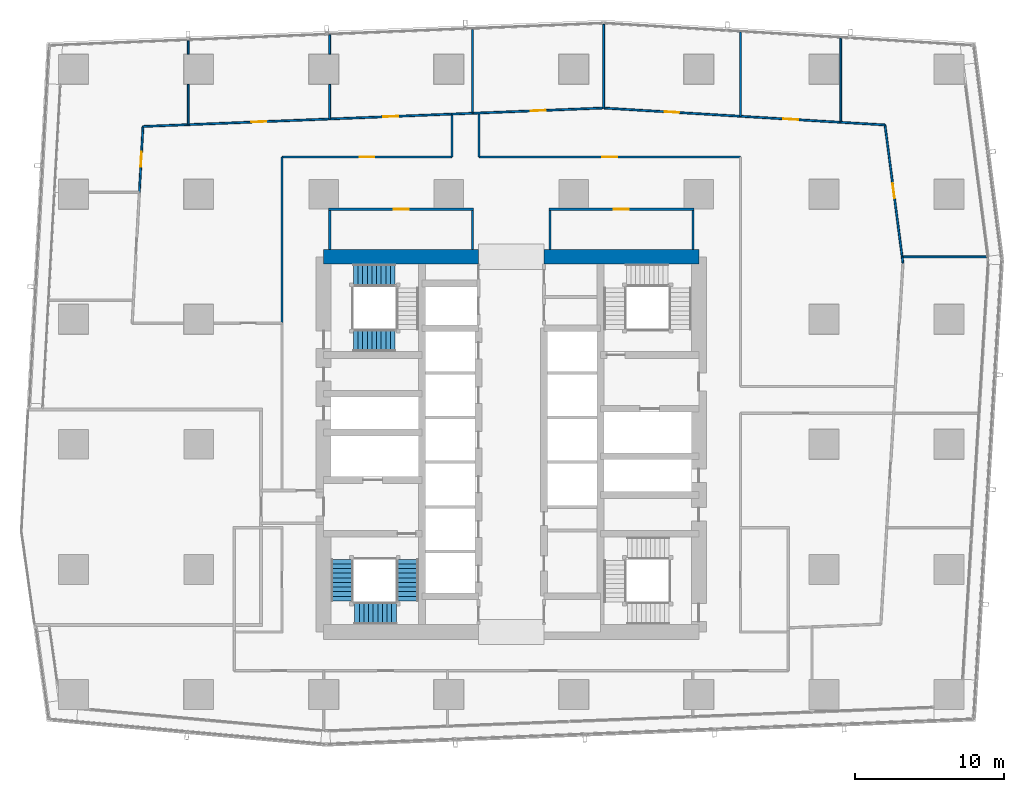
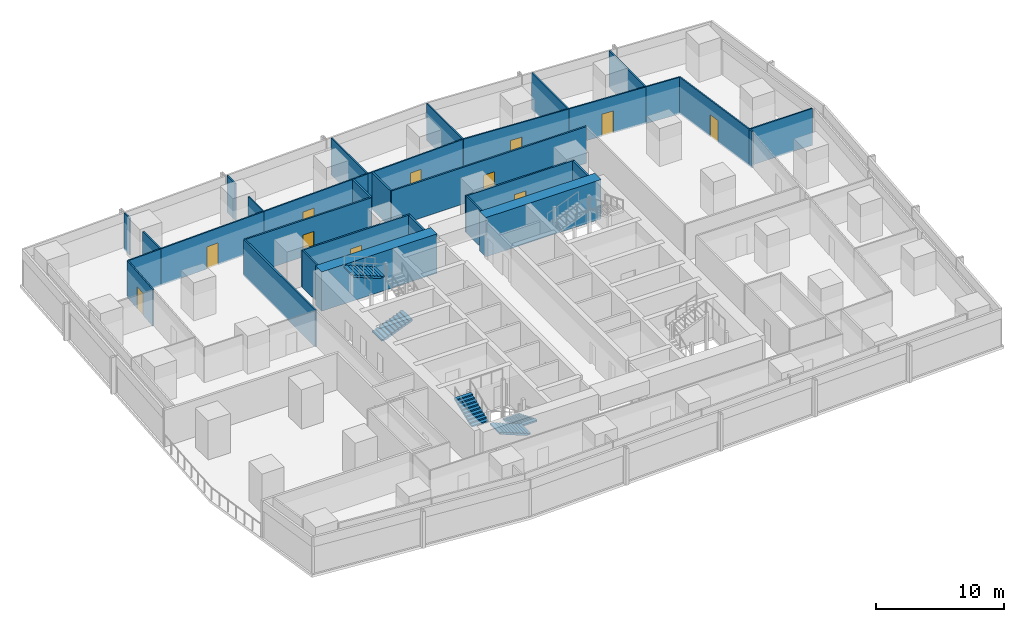
# One storey, part 28 of 36: 33 walls, 11 doors, 5 stair flights, 11 openings, 2 elements without a shape of their own.
"""IFC4 building model written with IfcOpenShell, lengths in metres."""

from ifc_helpers import new_model, si_unit, direction, frame, frame_2d, origin, place, context, subcontext, project, spatial, polyline, rectangle, outline, extrude, material, layer, layer_set, type_object, element, fill, aggregate, save


model = new_model("IFC4")

# Units and contexts
model_context = context("Model", 3, precision=1e-05, world=origin(), true_north=direction((0.0, 1.0)))
body_context = subcontext(model_context, "Body", "Model", "MODEL_VIEW")
ifc_project = project(units=[si_unit("LENGTHUNIT", "METRE"), si_unit("AREAUNIT", "SQUARE_METRE"), si_unit("VOLUMEUNIT", "CUBIC_METRE"), si_unit("PLANEANGLEUNIT", "RADIAN"), si_unit("MASSUNIT", "GRAM", prefix="KILO")], contexts=[model_context])

# Site, building, storey
site_placement = place(None, origin())
site = spatial("IfcSite", under=ifc_project, at=site_placement, CompositionType="ELEMENT")
building_placement = place(site_placement, origin())
building = spatial("IfcBuilding", under=site, at=building_placement, Name="Rekha Terrace Tower", CompositionType="ELEMENT")
storey_placement = place(building_placement, frame((0.0, 0.0, 144.050048828125)))
storey = spatial("IfcBuildingStorey", under=building, at=storey_placement, Name="L36", CompositionType="ELEMENT", Elevation=144.050048828125)

# Walls
ifc_material_1 = material(Name="Concrete M70", Category="concrete")
ifc_layer_1 = layer(ifc_material_1, 1.0)
ifc_layer_set_1 = layer_set([ifc_layer_1], Name="Concrete M70")
wall_type_1 = type_object("IfcWallType", Name="SW2 1000 core outer shear wall", PredefinedType="SHEAR", material=ifc_layer_set_1)
wall_1_placement = place(storey_placement, frame((25.199951171875, 46.199951171875, 0.0), z_axis=(0.0, 0.0, 1.0), x_axis=(1.0, 0.0, 0.0)))
element("IfcWall", 1, at=wall_1_placement, inside=storey, type_object=wall_type_1, Name="Core wall N1 L36", PredefinedType="SHEAR", context=body_context, shape_type="SweptSolid", body=[
    extrude(rectangle(XDim=10.400146484375, YDim=1.0, at=frame_2d((5.2001953125, 0.0))), origin(), (0.0, 0.0, 1.0), 3.75),
])
wall_2_placement = place(storey_placement, frame((40.0, 46.199951171875, 0.0), z_axis=(0.0, 0.0, 1.0), x_axis=(1.0, 0.0, 0.0)))
element("IfcWall", 2, at=wall_2_placement, inside=storey, type_object=wall_type_1, Name="Core wall N2 L36", PredefinedType="SHEAR", context=body_context, shape_type="SweptSolid", body=[
    extrude(rectangle(XDim=10.39990234375, YDim=1.0, at=frame_2d((5.199951171875, 0.0))), origin(), (0.0, 0.0, 1.0), 3.75),
])

# Wall, opening, door
ifc_material_2 = material(Name="Concrete block masonry, 1 hour", Category="masonry")
ifc_layer_2 = layer(ifc_material_2, 0.14990234375)
ifc_layer_set_2 = layer_set([ifc_layer_2], Name="Concrete block masonry, 1 hour")
wall_type_2 = type_object("IfcWallType", Name="WP2 150 tenancy partition", PredefinedType="PARTITIONING", material=ifc_layer_set_2)
wall_3_placement = place(storey_placement, frame((40.324951171875, 49.39990234375, 0.0), z_axis=(0.0, 0.0, 1.0), x_axis=(1.0, 0.0, 0.0)))
wall_3 = element("IfcWall", 3, at=wall_3_placement, inside=storey, type_object=wall_type_2, Name="Women's WC wall L36", PredefinedType="PARTITIONING", context=body_context, shape_type="SweptSolid", body=[
    extrude(rectangle(XDim=9.75, YDim=0.14990234375, at=frame_2d((4.875, 0.0))), origin(), (0.0, 0.0, 1.0), 3.5),
])
opening_1_placement = place(wall_3_placement, frame((4.375, 0.0, 0.0)))
opening_1 = element("IfcOpeningElement", 4, at=opening_1_placement, cuts=wall_3, Name="Opening D3", PredefinedType="OPENING", context=body_context, shape_type="SweptSolid", body=[
    extrude(rectangle(XDim=1.0, YDim=2.10009765625, at=frame_2d((0.5, 1.050048828125))), frame((0.0, 0.0849609375, 0.0), z_axis=(0.0, -1.0, 0.0), x_axis=(1.0, 0.0, 0.0)), (0.0, 0.0, 1.0), 0.169921875),
])
ifc_material_3 = material(Name="Laminated timber fire door", Category="wood")
door_type_1 = type_object("IfcDoorType", Name="D3 1000x2100 WC door", OperationType="SINGLE_SWING_LEFT", PredefinedType="DOOR", material=ifc_material_3)
door_1_placement = place(opening_1_placement, origin())
door_1 = element("IfcDoor", 5, at=door_1_placement, inside=storey, type_object=door_type_1, Name="Door women's wc L36", OperationType="SINGLE_SWING_LEFT", OverallHeight=2.10009765625, OverallWidth=1.0, PredefinedType="DOOR", context=body_context, shape_type="SweptSolid", body=[
    extrude(rectangle(XDim=1.0, YDim=2.10009765625, at=frame_2d((0.5, 1.050048828125))), frame((0.0, 0.02490234375, 0.0), z_axis=(0.0, -1.0, 0.0), x_axis=(1.0, 0.0, 0.0)), (0.0, 0.0, 1.0), 0.050048828125),
])
fill(opening_1, door_1)

# Walls
for number, where, z_axis, x_axis, name in (
    (6, (40.39990234375, 46.699951171875, 0.0), (0.0, 0.0, 1.0), (0.0, 1.0, 0.0), "Women's WC wall L36"),
    (7, (50.0, 46.699951171875, 0.0), (0.0, 0.0, 1.0), (0.0, 1.0, 0.0), "Women's WC wall L36"),
):
    element("IfcWall", number, at=place(storey_placement, frame(where, z_axis=z_axis, x_axis=x_axis)), inside=storey, type_object=wall_type_2, Name=name, PredefinedType="PARTITIONING", context=body_context, shape_type="SweptSolid", body=[
        extrude(rectangle(XDim=2.625, YDim=0.14990234375, at=frame_2d((1.3125, 0.0))), origin(), (0.0, 0.0, 1.0), 3.5),
    ])

# Wall, opening, door
wall_4_placement = place(storey_placement, frame((25.52490234375, 49.39990234375, 0.0), z_axis=(0.0, 0.0, 1.0), x_axis=(1.0, 0.0, 0.0)))
wall_4 = element("IfcWall", 8, at=wall_4_placement, inside=storey, type_object=wall_type_2, Name="Women's WC wall L36", PredefinedType="PARTITIONING", context=body_context, shape_type="SweptSolid", body=[
    extrude(rectangle(XDim=9.75, YDim=0.14990234375, at=frame_2d((4.875, 0.0))), origin(), (0.0, 0.0, 1.0), 3.5),
])
opening_2_placement = place(wall_4_placement, frame((4.375, 0.0, 0.0)))
opening_2 = element("IfcOpeningElement", 9, at=opening_2_placement, cuts=wall_4, Name="Opening D3", PredefinedType="OPENING", context=body_context, shape_type="SweptSolid", body=[
    extrude(rectangle(XDim=1.0, YDim=2.10009765625, at=frame_2d((0.5, 1.050048828125))), frame((0.0, 0.0849609375, 0.0), z_axis=(0.0, -1.0, 0.0), x_axis=(1.0, 0.0, 0.0)), (0.0, 0.0, 1.0), 0.169921875),
])
door_2_placement = place(opening_2_placement, origin())
door_2 = element("IfcDoor", 10, at=door_2_placement, inside=storey, type_object=door_type_1, Name="Door women's wc L36", OperationType="SINGLE_SWING_LEFT", OverallHeight=2.10009765625, OverallWidth=1.0, PredefinedType="DOOR", context=body_context, shape_type="SweptSolid", body=[
    extrude(rectangle(XDim=1.0, YDim=2.10009765625, at=frame_2d((0.5, 1.050048828125))), frame((0.0, 0.02490234375, 0.0), z_axis=(0.0, -1.0, 0.0), x_axis=(1.0, 0.0, 0.0)), (0.0, 0.0, 1.0), 0.050048828125),
])
fill(opening_2, door_2)

# Walls
for number, where, z_axis, x_axis, name in (
    (11, (25.60009765625, 46.699951171875, 0.0), (0.0, 0.0, 1.0), (0.0, 1.0, 0.0), "Women's WC wall L36"),
    (12, (35.199951171875, 46.699951171875, 0.0), (0.0, 0.0, 1.0), (0.0, 1.0, 0.0), "Women's WC wall L36"),
):
    element("IfcWall", number, at=place(storey_placement, frame(where, z_axis=z_axis, x_axis=x_axis)), inside=storey, type_object=wall_type_2, Name=name, PredefinedType="PARTITIONING", context=body_context, shape_type="SweptSolid", body=[
        extrude(rectangle(XDim=2.625, YDim=0.14990234375, at=frame_2d((1.3125, 0.0))), origin(), (0.0, 0.0, 1.0), 3.5),
    ])

# Wall, opening, door
wall_5_placement = place(storey_placement, frame((53.199951171875, 52.89990234375, 0.0), z_axis=(0.0, 0.0, 1.0), x_axis=(-1.0, 0.0, 0.0)))
wall_5 = element("IfcWall", 13, at=wall_5_placement, inside=storey, type_object=wall_type_2, Name="Partition L36-O1", PredefinedType="PARTITIONING", context=body_context, shape_type="SweptSolid", body=[
    extrude(rectangle(XDim=17.573974609375, YDim=0.14990234375, at=frame_2d((8.787109375, 0.0))), origin(), (0.0, 0.0, 1.0), 3.5),
])
opening_3_placement = place(wall_5_placement, frame((8.287109375, 0.0, 0.0)))
opening_3 = element("IfcOpeningElement", 14, at=opening_3_placement, cuts=wall_5, Name="Opening D9", PredefinedType="OPENING", context=body_context, shape_type="SweptSolid", body=[
    extrude(rectangle(XDim=1.0, YDim=2.10009765625, at=frame_2d((0.5, 1.050048828125))), frame((0.0, 0.0849609375, 0.0), z_axis=(0.0, -1.0, 0.0), x_axis=(1.0, 0.0, 0.0)), (0.0, 0.0, 1.0), 0.169921875),
])
ifc_material_4 = material(Name="Timber fire door", Category="wood")
door_type_2 = type_object("IfcDoorType", Name="D9 1000x2100 office door", OperationType="SINGLE_SWING_LEFT", PredefinedType="DOOR", material=ifc_material_4)
door_3_placement = place(opening_3_placement, origin())
door_3 = element("IfcDoor", 15, at=door_3_placement, inside=storey, type_object=door_type_2, Name="Door open-plan office L36", OperationType="SINGLE_SWING_LEFT", OverallHeight=2.10009765625, OverallWidth=1.0, PredefinedType="DOOR", context=body_context, shape_type="SweptSolid", body=[
    extrude(rectangle(XDim=1.0, YDim=2.10009765625, at=frame_2d((0.5, 1.050048828125))), frame((0.0, 0.02490234375, 0.0), z_axis=(0.0, -1.0, 0.0), x_axis=(1.0, 0.0, 0.0)), (0.0, 0.0, 1.0), 0.050048828125),
])
fill(opening_3, door_3)

# Walls
wall_6_placement = place(storey_placement, frame((35.6259765625, 52.89990234375, 0.0), z_axis=(0.0, 0.0, 1.0), x_axis=(0.0, 1.0, 0.0)))
element("IfcWall", 16, at=wall_6_placement, inside=storey, type_object=wall_type_2, Name="Partition L36-O1", PredefinedType="PARTITIONING", context=body_context, shape_type="SweptSolid", body=[
    extrude(rectangle(XDim=2.89599609375, YDim=0.14990234375, at=frame_2d((1.447998046875, 0.0))), origin(), (0.0, 0.0, 1.0), 3.5),
])
wall_7_placement = place(storey_placement, frame((33.825927734375, 55.785888671875, 0.0), z_axis=(0.0, 0.0, 1.0), x_axis=(0.0, -1.0, 0.0)))
element("IfcWall", 17, at=wall_7_placement, inside=storey, type_object=wall_type_2, Name="Partition L36-O2", PredefinedType="PARTITIONING", context=body_context, shape_type="SweptSolid", body=[
    extrude(rectangle(XDim=2.885986328125, YDim=0.14990234375, at=frame_2d((1.44287109375, 0.0))), origin(), (0.0, 0.0, 1.0), 3.5),
])

# Wall, opening, door
wall_8_placement = place(storey_placement, frame((33.825927734375, 52.89990234375, 0.0), z_axis=(0.0, 0.0, 1.0), x_axis=(-1.0, 0.0, 0.0)))
wall_8 = element("IfcWall", 18, at=wall_8_placement, inside=storey, type_object=wall_type_2, Name="Partition L36-O2", PredefinedType="PARTITIONING", context=body_context, shape_type="SweptSolid", body=[
    extrude(rectangle(XDim=11.426025390625, YDim=0.14990234375, at=frame_2d((5.712890625, 0.0))), origin(), (0.0, 0.0, 1.0), 3.5),
])
opening_4_placement = place(wall_8_placement, frame((5.212890625, 0.0, 0.0)))
opening_4 = element("IfcOpeningElement", 19, at=opening_4_placement, cuts=wall_8, Name="Opening D9", PredefinedType="OPENING", context=body_context, shape_type="SweptSolid", body=[
    extrude(rectangle(XDim=1.0, YDim=2.10009765625, at=frame_2d((0.5, 1.050048828125))), frame((0.0, 0.0849609375, 0.0), z_axis=(0.0, -1.0, 0.0), x_axis=(1.0, 0.0, 0.0)), (0.0, 0.0, 1.0), 0.169921875),
])
door_4_placement = place(opening_4_placement, origin())
door_4 = element("IfcDoor", 20, at=door_4_placement, inside=storey, type_object=door_type_2, Name="Door open-plan office L36", OperationType="SINGLE_SWING_LEFT", OverallHeight=2.10009765625, OverallWidth=1.0, PredefinedType="DOOR", context=body_context, shape_type="SweptSolid", body=[
    extrude(rectangle(XDim=1.0, YDim=2.10009765625, at=frame_2d((0.5, 1.050048828125))), frame((0.0, 0.02490234375, 0.0), z_axis=(0.0, -1.0, 0.0), x_axis=(1.0, 0.0, 0.0)), (0.0, 0.0, 1.0), 0.050048828125),
])
fill(opening_4, door_4)

# Walls
wall_9_placement = place(storey_placement, frame((22.39990234375, 52.89990234375, 0.0), z_axis=(0.0, 0.0, 1.0), x_axis=(0.0, -1.0, 0.0)))
element("IfcWall", 21, at=wall_9_placement, inside=storey, type_object=wall_type_2, Name="Partition L36-O2", PredefinedType="PARTITIONING", context=body_context, shape_type="SweptSolid", body=[
    extrude(rectangle(XDim=11.156005859375, YDim=0.14990234375, at=frame_2d((5.578125, 0.0))), origin(), (0.0, 0.0, 1.0), 3.5),
])
ifc_material_5 = material(Name="Two layers of fire-rated gypsum board each side on steel studs, acoustic quilt, 1 hour", Category="steel")
ifc_layer_3 = layer(ifc_material_5, 0.125)
ifc_layer_set_3 = layer_set([ifc_layer_3], Name="Two layers of fire-rated gypsum board each side on steel studs, acoustic quilt, 1 hour")
wall_type_3 = type_object("IfcWallType", Name="WP3 125 office partition", PredefinedType="PARTITIONING", material=ifc_layer_set_3)
wall_10_placement = place(storey_placement, frame((64.113037109375, 45.777099609375, 0.0), z_axis=(0.0, 0.0, 1.0), x_axis=(-0.127732925799, 0.991808600319, 0.0)))
element("IfcWall", 22, at=wall_10_placement, inside=storey, type_object=wall_type_3, Name="Partition L36-04", PredefinedType="PARTITIONING", context=body_context, shape_type="SweptSolid", body=[
    extrude(rectangle(XDim=0.42236328125, YDim=0.125, at=frame_2d((0.211181640625, 0.0))), origin(), (0.0, 0.0, 1.0), 3.5),
])
wall_11_placement = place(storey_placement, frame((64.05908203125, 46.196044921875, 0.0), z_axis=(0.0, 0.0, 1.0), x_axis=(1.0, 0.0, 0.0)))
element("IfcWall", 23, at=wall_11_placement, inside=storey, type_object=wall_type_3, Name="Partition L36-04", PredefinedType="PARTITIONING", context=body_context, shape_type="SweptSolid", body=[
    extrude(rectangle(XDim=5.6669921875, YDim=0.125, at=frame_2d((2.83349609375, 0.0))), origin(), (0.0, 0.0, 1.0), 3.5),
])
wall_12_placement = place(storey_placement, frame((59.93701171875, 55.23388671875, 0.0), z_axis=(0.0, 0.0, 1.0), x_axis=(0.0, 1.0, 0.0)))
element("IfcWall", 24, at=wall_12_placement, inside=storey, type_object=wall_type_3, Name="Partition L36-05", PredefinedType="PARTITIONING", context=body_context, shape_type="SweptSolid", body=[
    extrude(rectangle(XDim=5.66015625, YDim=0.125, at=frame_2d((2.830078125, 0.0))), origin(), (0.0, 0.0, 1.0), 3.5),
])

# Wall, opening, door
wall_13_placement = place(storey_placement, frame((64.05908203125, 46.197021484375, 0.0), z_axis=(0.0, 0.0, 1.0), x_axis=(-0.129179126048, 0.991621275182, 0.0)))
wall_13 = element("IfcWall", 25, at=wall_13_placement, inside=storey, type_object=wall_type_3, Name="Partition L36-05", PredefinedType="PARTITIONING", context=body_context, shape_type="SweptSolid", body=[
    extrude(rectangle(XDim=8.933837890625, YDim=0.125, at=frame_2d((4.466796875, 0.0))), origin(), (0.0, 0.0, 1.0), 3.5),
])
opening_5_placement = place(wall_13_placement, frame((3.967041015625, 0.0, 0.0)))
opening_5 = element("IfcOpeningElement", 26, at=opening_5_placement, cuts=wall_13, Name="Opening D9", PredefinedType="OPENING", context=body_context, shape_type="SweptSolid", body=[
    extrude(rectangle(XDim=1.0, YDim=2.10009765625, at=frame_2d((0.5, 1.050048828125))), frame((0.0, 0.072509765625, 0.0), z_axis=(0.0, -1.0, 0.0), x_axis=(1.0, 0.0, 0.0)), (0.0, 0.0, 1.0), 0.14501953125),
])
door_5_placement = place(opening_5_placement, origin())
door_5 = element("IfcDoor", 27, at=door_5_placement, inside=storey, type_object=door_type_2, Name="Door director's office L36", OperationType="SINGLE_SWING_LEFT", OverallHeight=2.10009765625, OverallWidth=1.0, PredefinedType="DOOR", context=body_context, shape_type="SweptSolid", body=[
    extrude(rectangle(XDim=1.0, YDim=2.10009765625, at=frame_2d((0.5, 1.050048828125))), frame((0.0, 0.02490234375, 0.0), z_axis=(0.0, -1.0, 0.0), x_axis=(1.0, 0.0, 0.0)), (0.0, 0.0, 1.0), 0.050048828125),
])
fill(opening_5, door_5)

# Wall
wall_14_placement = place(storey_placement, frame((62.905029296875, 55.055908203125, 0.0), z_axis=(0.0, 0.0, 1.0), x_axis=(-0.998206906615, 0.059857928348, 0.0)))
element("IfcWall", 28, at=wall_14_placement, inside=storey, type_object=wall_type_3, Name="Partition L36-05", PredefinedType="PARTITIONING", context=body_context, shape_type="SweptSolid", body=[
    extrude(rectangle(XDim=2.973388671875, YDim=0.125, at=frame_2d((1.48681640625, 0.0))), origin(), (0.0, 0.0, 1.0), 3.5),
])

# Wall, opening, door
wall_15_placement = place(storey_placement, frame((59.93603515625, 55.23388671875, 0.0), z_axis=(0.0, 0.0, 1.0), x_axis=(-0.998198743515, 0.059993903398, 0.0)))
wall_15 = element("IfcWall", 29, at=wall_15_placement, inside=storey, type_object=wall_type_3, Name="Partition L36-06", PredefinedType="PARTITIONING", context=body_context, shape_type="SweptSolid", body=[
    extrude(rectangle(XDim=6.751220703125, YDim=0.125, at=frame_2d((3.37548828125, 0.0))), origin(), (0.0, 0.0, 1.0), 3.5),
])
opening_6_placement = place(wall_15_placement, frame((2.8759765625, 0.0, 0.0)))
opening_6 = element("IfcOpeningElement", 30, at=opening_6_placement, cuts=wall_15, Name="Opening D9", PredefinedType="OPENING", context=body_context, shape_type="SweptSolid", body=[
    extrude(rectangle(XDim=1.0, YDim=2.10009765625, at=frame_2d((0.5, 1.050048828125))), frame((0.0, 0.072509765625, 0.0), z_axis=(0.0, -1.0, 0.0), x_axis=(1.0, 0.0, 0.0)), (0.0, 0.0, 1.0), 0.14501953125),
])
door_6_placement = place(opening_6_placement, origin())
door_6 = element("IfcDoor", 31, at=door_6_placement, inside=storey, type_object=door_type_2, Name="Door office L36", OperationType="SINGLE_SWING_LEFT", OverallHeight=2.10009765625, OverallWidth=1.0, PredefinedType="DOOR", context=body_context, shape_type="SweptSolid", body=[
    extrude(rectangle(XDim=1.0, YDim=2.10009765625, at=frame_2d((0.5, 1.050048828125))), frame((0.0, 0.02490234375, 0.0), z_axis=(0.0, -1.0, 0.0), x_axis=(1.0, 0.0, 0.0)), (0.0, 0.0, 1.0), 0.050048828125),
])
fill(opening_6, door_6)

# Wall
wall_16_placement = place(storey_placement, frame((53.197021484375, 55.638916015625, 0.0), z_axis=(0.0, 0.0, 1.0), x_axis=(0.0, 1.0, 0.0)))
element("IfcWall", 32, at=wall_16_placement, inside=storey, type_object=wall_type_3, Name="Partition L36-06", PredefinedType="PARTITIONING", context=body_context, shape_type="SweptSolid", body=[
    extrude(rectangle(XDim=5.66015625, YDim=0.125, at=frame_2d((2.830078125, 0.0))), origin(), (0.0, 0.0, 1.0), 3.5),
])

# Wall, opening, door
wall_17_placement = place(storey_placement, frame((53.196044921875, 55.638916015625, 0.0), z_axis=(0.0, 0.0, 1.0), x_axis=(-0.998195418224, 0.060049205128, 0.0)))
wall_17 = element("IfcWall", 33, at=wall_17_placement, inside=storey, type_object=wall_type_3, Name="Partition L36-07", PredefinedType="PARTITIONING", context=body_context, shape_type="SweptSolid", body=[
    extrude(rectangle(XDim=9.208740234375, YDim=0.125, at=frame_2d((4.6044921875, 0.0))), origin(), (0.0, 0.0, 1.0), 3.5),
])
opening_7_placement = place(wall_17_placement, frame((4.10400390625, 0.0, 0.0)))
opening_7 = element("IfcOpeningElement", 34, at=opening_7_placement, cuts=wall_17, Name="Opening D9", PredefinedType="OPENING", context=body_context, shape_type="SweptSolid", body=[
    extrude(rectangle(XDim=1.0, YDim=2.10009765625, at=frame_2d((0.5, 1.050048828125))), frame((0.0, 0.072509765625, 0.0), z_axis=(0.0, -1.0, 0.0), x_axis=(1.0, 0.0, 0.0)), (0.0, 0.0, 1.0), 0.14501953125),
])
door_7_placement = place(opening_7_placement, origin())
door_7 = element("IfcDoor", 35, at=door_7_placement, inside=storey, type_object=door_type_2, Name="Door office L36", OperationType="SINGLE_SWING_LEFT", OverallHeight=2.10009765625, OverallWidth=1.0, PredefinedType="DOOR", context=body_context, shape_type="SweptSolid", body=[
    extrude(rectangle(XDim=1.0, YDim=2.10009765625, at=frame_2d((0.5, 1.050048828125))), frame((0.0, 0.02490234375, 0.0), z_axis=(0.0, -1.0, 0.0), x_axis=(1.0, 0.0, 0.0)), (0.0, 0.0, 1.0), 0.050048828125),
])
fill(opening_7, door_7)

# Walls
wall_18_placement = place(storey_placement, frame((44.00390625, 56.19189453125, 0.0), z_axis=(0.0, 0.0, 1.0), x_axis=(0.0, 1.0, 0.0)))
element("IfcWall", 36, at=wall_18_placement, inside=storey, type_object=wall_type_3, Name="Partition L36-07", PredefinedType="PARTITIONING", context=body_context, shape_type="SweptSolid", body=[
    extrude(rectangle(XDim=5.627197265625, YDim=0.125, at=frame_2d((2.8134765625, 0.0))), origin(), (0.0, 0.0, 1.0), 3.5),
])
wall_19_placement = place(storey_placement, frame((35.199951171875, 55.841064453125, 0.0), z_axis=(0.0, 0.0, 1.0), x_axis=(0.0, 1.0, 0.0)))
element("IfcWall", 37, at=wall_19_placement, inside=storey, type_object=wall_type_3, Name="Partition L36-08", PredefinedType="PARTITIONING", context=body_context, shape_type="SweptSolid", body=[
    extrude(rectangle(XDim=5.625, YDim=0.125, at=frame_2d((2.8125, 0.0))), origin(), (0.0, 0.0, 1.0), 3.5),
])

# Wall, opening, door
wall_20_placement = place(storey_placement, frame((43.952880859375, 56.19189453125, 0.0), z_axis=(0.0, 0.0, 1.0), x_axis=(-0.999197705394, -0.040049288817, 0.0)))
wall_20 = element("IfcWall", 38, at=wall_20_placement, inside=storey, type_object=wall_type_3, Name="Partition L36-08", PredefinedType="PARTITIONING", context=body_context, shape_type="SweptSolid", body=[
    extrude(rectangle(XDim=8.760009765625, YDim=0.125, at=frame_2d((4.3798828125, 0.0))), origin(), (0.0, 0.0, 1.0), 3.5),
])
opening_8_placement = place(wall_20_placement, frame((3.85498046875, 0.0, 0.0)))
opening_8 = element("IfcOpeningElement", 39, at=opening_8_placement, cuts=wall_20, Name="Opening D9", PredefinedType="OPENING", context=body_context, shape_type="SweptSolid", body=[
    extrude(rectangle(XDim=1.0, YDim=2.10009765625, at=frame_2d((0.5, 1.050048828125))), frame((0.0, 0.072509765625, 0.0), z_axis=(0.0, -1.0, 0.0), x_axis=(1.0, 0.0, 0.0)), (0.0, 0.0, 1.0), 0.14501953125),
])
door_8_placement = place(opening_8_placement, origin())
door_8 = element("IfcDoor", 40, at=door_8_placement, inside=storey, type_object=door_type_2, Name="Door office L36", OperationType="SINGLE_SWING_LEFT", OverallHeight=2.10009765625, OverallWidth=1.0, PredefinedType="DOOR", context=body_context, shape_type="SweptSolid", body=[
    extrude(rectangle(XDim=1.0, YDim=2.10009765625, at=frame_2d((0.5, 1.050048828125))), frame((0.0, 0.02490234375, 0.0), z_axis=(0.0, -1.0, 0.0), x_axis=(1.0, 0.0, 0.0)), (0.0, 0.0, 1.0), 0.050048828125),
])
fill(opening_8, door_8)

wall_21_placement = place(storey_placement, frame((33.825927734375, 55.785888671875, 0.0), z_axis=(0.0, 0.0, 1.0), x_axis=(-0.999201621897, -0.039951455511, 0.0)))
wall_21 = element("IfcWall", 41, at=wall_21_placement, inside=storey, type_object=wall_type_3, Name="Partition L36-09", PredefinedType="PARTITIONING", context=body_context, shape_type="SweptSolid", body=[
    extrude(rectangle(XDim=8.2314453125, YDim=0.125, at=frame_2d((4.11572265625, 0.0))), origin(), (0.0, 0.0, 1.0), 3.5),
])
opening_9_placement = place(wall_21_placement, frame((3.615966796875, 0.0, 0.0)))
opening_9 = element("IfcOpeningElement", 42, at=opening_9_placement, cuts=wall_21, Name="Opening D9", PredefinedType="OPENING", context=body_context, shape_type="SweptSolid", body=[
    extrude(rectangle(XDim=1.0, YDim=2.10009765625, at=frame_2d((0.5, 1.050048828125))), frame((0.0, 0.072509765625, 0.0), z_axis=(0.0, -1.0, 0.0), x_axis=(1.0, 0.0, 0.0)), (0.0, 0.0, 1.0), 0.14501953125),
])
door_9_placement = place(opening_9_placement, origin())
door_9 = element("IfcDoor", 43, at=door_9_placement, inside=storey, type_object=door_type_2, Name="Door office L36", OperationType="SINGLE_SWING_LEFT", OverallHeight=2.10009765625, OverallWidth=1.0, PredefinedType="DOOR", context=body_context, shape_type="SweptSolid", body=[
    extrude(rectangle(XDim=1.0, YDim=2.10009765625, at=frame_2d((0.5, 1.050048828125))), frame((0.0, 0.02490234375, 0.0), z_axis=(0.0, -1.0, 0.0), x_axis=(1.0, 0.0, 0.0)), (0.0, 0.0, 1.0), 0.050048828125),
])
fill(opening_9, door_9)

# Walls
wall_22_placement = place(storey_placement, frame((25.60107421875, 55.45703125, 0.0), z_axis=(0.0, 0.0, 1.0), x_axis=(0.0, 1.0, 0.0)))
element("IfcWall", 44, at=wall_22_placement, inside=storey, type_object=wall_type_3, Name="Partition L36-09", PredefinedType="PARTITIONING", context=body_context, shape_type="SweptSolid", body=[
    extrude(rectangle(XDim=2.322998046875, YDim=0.125, at=frame_2d((1.16162109375, 0.0))), origin(), (0.0, 0.0, 1.0), 3.5),
])
wall_23_placement = place(storey_placement, frame((25.60107421875, 59.820068359375, 0.0), z_axis=(0.0, 0.0, 1.0), x_axis=(0.0, 1.0, 0.0)))
element("IfcWall", 45, at=wall_23_placement, inside=storey, type_object=wall_type_3, Name="Partition L36-09", PredefinedType="PARTITIONING", context=body_context, shape_type="SweptSolid", body=[
    extrude(rectangle(XDim=1.291015625, YDim=0.125, at=frame_2d((0.6455078125, 0.0))), origin(), (0.0, 0.0, 1.0), 3.5),
])
wall_24_placement = place(storey_placement, frame((35.198974609375, 55.841064453125, 0.0), z_axis=(0.0, 0.0, 1.0), x_axis=(-0.999193562593, -0.04015251514, 0.0)))
element("IfcWall", 46, at=wall_24_placement, inside=storey, type_object=wall_type_3, Name="Partition L36-09", PredefinedType="PARTITIONING", context=body_context, shape_type="SweptSolid", body=[
    extrude(rectangle(XDim=1.374267578125, YDim=0.125, at=frame_2d((0.68701171875, 0.0))), origin(), (0.0, 0.0, 1.0), 3.5),
])

# Wall, opening, door
wall_25_placement = place(storey_placement, frame((25.59912109375, 55.45703125, 0.0), z_axis=(0.0, 0.0, 1.0), x_axis=(-0.999195821447, -0.040096264197, 0.0)))
wall_25 = element("IfcWall", 47, at=wall_25_placement, inside=storey, type_object=wall_type_3, Name="Partition L36-12", PredefinedType="PARTITIONING", context=body_context, shape_type="SweptSolid", body=[
    extrude(rectangle(XDim=9.504638671875, YDim=0.125, at=frame_2d((4.75244140625, 0.0))), origin(), (0.0, 0.0, 1.0), 3.5),
])
opening_10_placement = place(wall_25_placement, frame((4.251953125, 0.0, 0.0)))
opening_10 = element("IfcOpeningElement", 48, at=opening_10_placement, cuts=wall_25, Name="Opening D9", PredefinedType="OPENING", context=body_context, shape_type="SweptSolid", body=[
    extrude(rectangle(XDim=1.0, YDim=2.10009765625, at=frame_2d((0.5, 1.050048828125))), frame((0.0, 0.072509765625, 0.0), z_axis=(0.0, -1.0, 0.0), x_axis=(1.0, 0.0, 0.0)), (0.0, 0.0, 1.0), 0.14501953125),
])
door_10_placement = place(opening_10_placement, origin())
door_10 = element("IfcDoor", 49, at=door_10_placement, inside=storey, type_object=door_type_2, Name="Door office L36", OperationType="SINGLE_SWING_LEFT", OverallHeight=2.10009765625, OverallWidth=1.0, PredefinedType="DOOR", context=body_context, shape_type="SweptSolid", body=[
    extrude(rectangle(XDim=1.0, YDim=2.10009765625, at=frame_2d((0.5, 1.050048828125))), frame((0.0, 0.02490234375, 0.0), z_axis=(0.0, -1.0, 0.0), x_axis=(1.0, 0.0, 0.0)), (0.0, 0.0, 1.0), 0.050048828125),
])
fill(opening_10, door_10)

# Walls
wall_26_placement = place(storey_placement, frame((16.10205078125, 55.075927734375, 0.0), z_axis=(0.0, 0.0, 1.0), x_axis=(0.0, 1.0, 0.0)))
element("IfcWall", 50, at=wall_26_placement, inside=storey, type_object=wall_type_3, Name="Partition L36-12", PredefinedType="PARTITIONING", context=body_context, shape_type="SweptSolid", body=[
    extrude(rectangle(XDim=2.7041015625, YDim=0.125, at=frame_2d((1.35205078125, 0.0))), origin(), (0.0, 0.0, 1.0), 3.5),
])
wall_27_placement = place(storey_placement, frame((16.10205078125, 59.820068359375, 0.0), z_axis=(0.0, 0.0, 1.0), x_axis=(0.0, 1.0, 0.0)))
element("IfcWall", 51, at=wall_27_placement, inside=storey, type_object=wall_type_3, Name="Partition L36-12", PredefinedType="PARTITIONING", context=body_context, shape_type="SweptSolid", body=[
    extrude(rectangle(XDim=0.8798828125, YDim=0.125, at=frame_2d((0.43994140625, 0.0))), origin(), (0.0, 0.0, 1.0), 3.5),
])
wall_28_placement = place(storey_placement, frame((16.10107421875, 55.075927734375, 0.0), z_axis=(0.0, 0.0, 1.0), x_axis=(-0.999198007742, -0.040041744769, 0.0)))
element("IfcWall", 52, at=wall_28_placement, inside=storey, type_object=wall_type_3, Name="Partition L36-13", PredefinedType="PARTITIONING", context=body_context, shape_type="SweptSolid", body=[
    extrude(rectangle(XDim=3.04248046875, YDim=0.125, at=frame_2d((1.521240234375, 0.0))), origin(), (0.0, 0.0, 1.0), 3.5),
])

# Wall, opening, door
wall_29_placement = place(storey_placement, frame((13.06103515625, 54.9541015625, 0.0), z_axis=(0.0, 0.0, 1.0), x_axis=(-0.054838150919, -0.998495256475, 0.0)))
wall_29 = element("IfcWall", 53, at=wall_29_placement, inside=storey, type_object=wall_type_3, Name="Partition L36-13", PredefinedType="PARTITIONING", context=body_context, shape_type="SweptSolid", body=[
    extrude(rectangle(XDim=4.4296875, YDim=0.125, at=frame_2d((2.21484375, 0.0))), origin(), (0.0, 0.0, 1.0), 3.5),
])
opening_11_placement = place(wall_29_placement, frame((1.715087890625, 0.0, 0.0)))
opening_11 = element("IfcOpeningElement", 54, at=opening_11_placement, cuts=wall_29, Name="Opening D9", PredefinedType="OPENING", context=body_context, shape_type="SweptSolid", body=[
    extrude(rectangle(XDim=1.0, YDim=2.10009765625, at=frame_2d((0.5, 1.050048828125))), frame((0.0, 0.072509765625, 0.0), z_axis=(0.0, -1.0, 0.0), x_axis=(1.0, 0.0, 0.0)), (0.0, 0.0, 1.0), 0.14501953125),
])
door_11_placement = place(opening_11_placement, origin())
door_11 = element("IfcDoor", 55, at=door_11_placement, inside=storey, type_object=door_type_2, Name="Door director's office L36", OperationType="SINGLE_SWING_LEFT", OverallHeight=2.10009765625, OverallWidth=1.0, PredefinedType="DOOR", context=body_context, shape_type="SweptSolid", body=[
    extrude(rectangle(XDim=1.0, YDim=2.10009765625, at=frame_2d((0.5, 1.050048828125))), frame((0.0, 0.02490234375, 0.0), z_axis=(0.0, -1.0, 0.0), x_axis=(1.0, 0.0, 0.0)), (0.0, 0.0, 1.0), 0.050048828125),
])
fill(opening_11, door_11)

# Stair, stair flights
ifc_material_6 = material(Name="Concrete M40", Category="concrete")
stair_type = type_object("IfcStairType", Name="ST30 stair, 30 risers of 125, going 310, 1500 wide flights, 3 flights", PredefinedType="HALF_TURN_STAIR", material=ifc_material_6)
stair_1_placement = place(storey_placement, origin())
stair_1 = element("IfcStair", 56, at=stair_1_placement, inside=storey, type_object=stair_type, Name="Stair ST1 L36 to L37", PredefinedType="HALF_TURN_STAIR")
stair_flight_type = type_object("IfcStairFlightType", Name="SF10 stair flight, 10 risers of 125, going 310, 1500 wide", PredefinedType="STRAIGHT", material=ifc_material_6)
stair_flight_1_placement = place(storey_placement, frame((30.824951171875, 25.875, 0.0), z_axis=(0.0, 0.0, 1.0), x_axis=(0.0, -1.0, 0.0)))
stair_flight_1 = element("IfcStairFlight", 57, at=stair_flight_1_placement, type_object=stair_flight_type, Name="ST1 flight 1", NumberOfRisers=10, NumberOfTreads=9, PredefinedType="STRAIGHT", RiserHeight=0.125, TreadLength=0.31, context=body_context, shape_type="SweptSolid", body=[
    extrude(outline(polyline([(0.0, 0.0), (0.0, 0.125), (0.31005859375, 0.125), (0.31005859375, 0.25), (0.6201171875, 0.25), (0.6201171875, 0.375), (0.929931640625, 0.375), (0.929931640625, 0.5), (1.239990234375, 0.5), (1.239990234375, 0.625), (1.550048828125, 0.625), (1.550048828125, 0.75), (1.860107421875, 0.75), (1.860107421875, 0.875), (2.169921875, 0.875), (2.169921875, 1.0), (2.47998046875, 1.0), (2.47998046875, 1.125), (2.7900390625, 1.125), (2.7900390625, 1.25), (2.7900390625, 0.96337890625), (0.40087890625, 0.0), (0.0, 0.0)])), frame((0.0, 0.75, 0.0), z_axis=(0.0, -1.0, 0.0), x_axis=(1.0, 0.0, 0.0)), (0.0, 0.0, 1.0), 1.5),
])
stair_flight_2_placement = place(storey_placement, frame((30.074951171875, 22.25, 1.25), z_axis=(0.0, 0.0, 1.0), x_axis=(-1.0, 0.0, 0.0)))
stair_flight_2 = element("IfcStairFlight", 58, at=stair_flight_2_placement, type_object=stair_flight_type, Name="ST1 flight 2", NumberOfRisers=10, NumberOfTreads=9, PredefinedType="STRAIGHT", RiserHeight=0.125, TreadLength=0.31, context=body_context, shape_type="SweptSolid", body=[
    extrude(outline(polyline([(0.0, 0.0), (0.0, 0.125), (0.31005859375, 0.125), (0.31005859375, 0.25), (0.6201171875, 0.25), (0.6201171875, 0.375), (0.929931640625, 0.375), (0.929931640625, 0.5), (1.239990234375, 0.5), (1.239990234375, 0.625), (1.550048828125, 0.625), (1.550048828125, 0.75), (1.860107421875, 0.75), (1.860107421875, 0.875), (2.169921875, 0.875), (2.169921875, 1.0), (2.47998046875, 1.0), (2.47998046875, 1.125), (2.7900390625, 1.125), (2.7900390625, 1.25), (2.7900390625, 0.96337890625), (0.40087890625, 0.0), (0.0, 0.0)])), frame((0.0, 0.75, 0.0), z_axis=(0.0, -1.0, 0.0), x_axis=(1.0, 0.0, 0.0)), (0.0, 0.0, 1.0), 1.5),
])
stair_flight_3_placement = place(storey_placement, frame((26.449951171875, 23.0849609375, 2.5), z_axis=(0.0, 0.0, 1.0), x_axis=(0.0, 1.0, 0.0)))
stair_flight_3 = element("IfcStairFlight", 59, at=stair_flight_3_placement, type_object=stair_flight_type, Name="ST1 flight 3", NumberOfRisers=10, NumberOfTreads=9, PredefinedType="STRAIGHT", RiserHeight=0.125, TreadLength=0.31, context=body_context, shape_type="SweptSolid", body=[
    extrude(outline(polyline([(0.0, 0.0), (0.0, 0.125), (0.31005859375, 0.125), (0.31005859375, 0.25), (0.6201171875, 0.25), (0.6201171875, 0.375), (0.929931640625, 0.375), (0.929931640625, 0.5), (1.239990234375, 0.5), (1.239990234375, 0.625), (1.550048828125, 0.625), (1.550048828125, 0.75), (1.860107421875, 0.75), (1.860107421875, 0.875), (2.169921875, 0.875), (2.169921875, 1.0), (2.47998046875, 1.0), (2.47998046875, 1.125), (2.7900390625, 1.125), (2.7900390625, 1.25), (2.7900390625, 0.96337890625), (0.40087890625, 0.0), (0.0, 0.0)])), frame((0.0, 0.75, 0.0), z_axis=(0.0, -1.0, 0.0), x_axis=(1.0, 0.0, 0.0)), (0.0, 0.0, 1.0), 1.5),
])
aggregate(stair_1, [stair_flight_1, stair_flight_2, stair_flight_3])

stair_2_placement = place(storey_placement, origin())
stair_2 = element("IfcStair", 60, at=stair_2_placement, inside=storey, type_object=stair_type, Name="Stair ST4 L36 to L37", PredefinedType="HALF_TURN_STAIR")
stair_flight_4_placement = place(storey_placement, frame((27.199951171875, 40.574951171875, 0.0), z_axis=(0.0, 0.0, 1.0), x_axis=(1.0, 0.0, 0.0)))
stair_flight_4 = element("IfcStairFlight", 61, at=stair_flight_4_placement, type_object=stair_flight_type, Name="ST4 flight 1", NumberOfRisers=10, NumberOfTreads=9, PredefinedType="STRAIGHT", RiserHeight=0.125, TreadLength=0.31, context=body_context, shape_type="SweptSolid", body=[
    extrude(outline(polyline([(0.0, 0.0), (0.0, 0.125), (0.31005859375, 0.125), (0.31005859375, 0.25), (0.6201171875, 0.25), (0.6201171875, 0.375), (0.929931640625, 0.375), (0.929931640625, 0.5), (1.239990234375, 0.5), (1.239990234375, 0.625), (1.550048828125, 0.625), (1.550048828125, 0.75), (1.860107421875, 0.75), (1.860107421875, 0.875), (2.169921875, 0.875), (2.169921875, 1.0), (2.47998046875, 1.0), (2.47998046875, 1.125), (2.7900390625, 1.125), (2.7900390625, 1.25), (2.7900390625, 0.96337890625), (0.40087890625, 0.0), (0.0, 0.0)])), frame((0.0, 0.75, 0.0), z_axis=(0.0, -1.0, 0.0), x_axis=(1.0, 0.0, 0.0)), (0.0, 0.0, 1.0), 1.5),
])
stair_flight_5_placement = place(storey_placement, frame((29.989990234375, 44.949951171875, 2.5), z_axis=(0.0, 0.0, 1.0), x_axis=(-1.0, 0.0, 0.0)))
stair_flight_5 = element("IfcStairFlight", 62, at=stair_flight_5_placement, type_object=stair_flight_type, Name="ST4 flight 3", NumberOfRisers=10, NumberOfTreads=9, PredefinedType="STRAIGHT", RiserHeight=0.125, TreadLength=0.31, context=body_context, shape_type="SweptSolid", body=[
    extrude(outline(polyline([(0.0, 0.0), (0.0, 0.125), (0.31005859375, 0.125), (0.31005859375, 0.25), (0.6201171875, 0.25), (0.6201171875, 0.375), (0.929931640625, 0.375), (0.929931640625, 0.5), (1.239990234375, 0.5), (1.239990234375, 0.625), (1.550048828125, 0.625), (1.550048828125, 0.75), (1.860107421875, 0.75), (1.860107421875, 0.875), (2.169921875, 0.875), (2.169921875, 1.0), (2.47998046875, 1.0), (2.47998046875, 1.125), (2.7900390625, 1.125), (2.7900390625, 1.25), (2.7900390625, 0.96337890625), (0.40087890625, 0.0), (0.0, 0.0)])), frame((0.0, 0.75, 0.0), z_axis=(0.0, -1.0, 0.0), x_axis=(1.0, 0.0, 0.0)), (0.0, 0.0, 1.0), 1.5),
])
aggregate(stair_2, [stair_flight_4, stair_flight_5])

save(model, "model.ifc")
